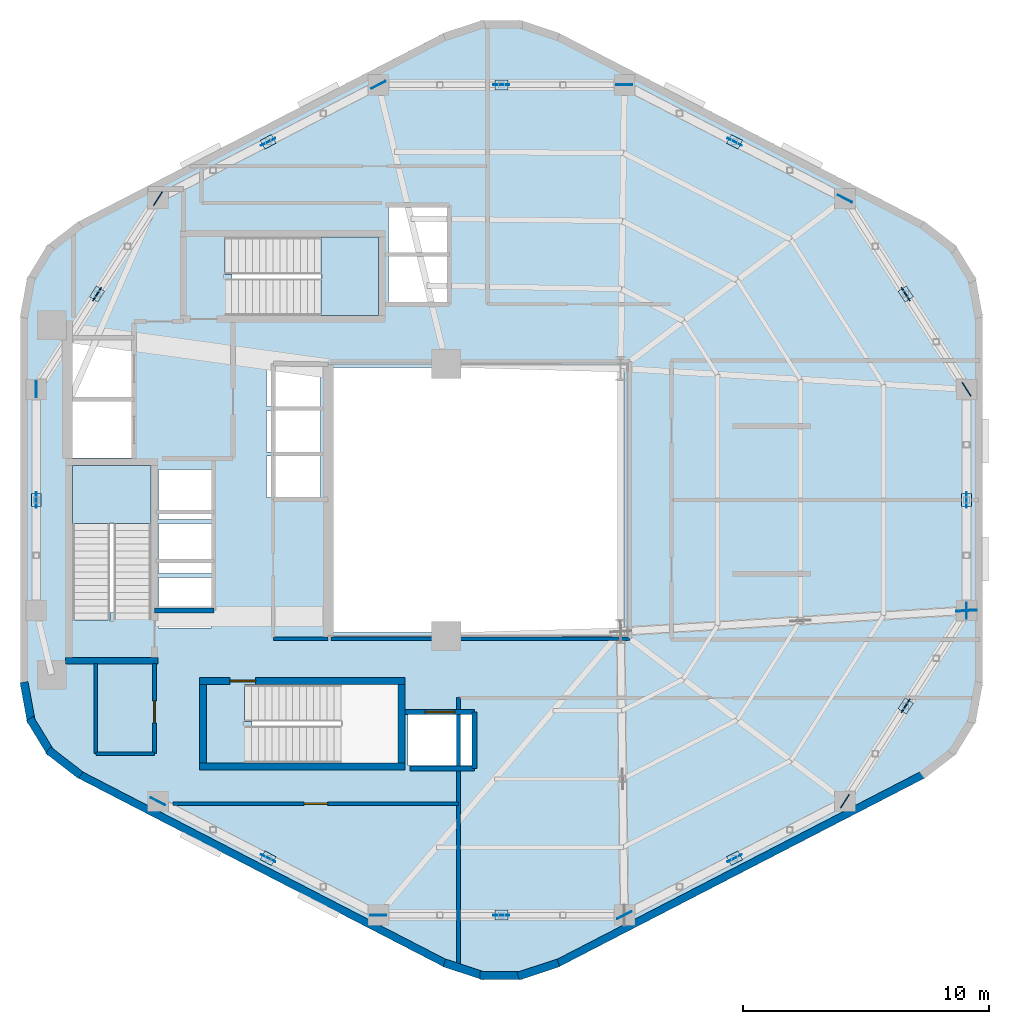
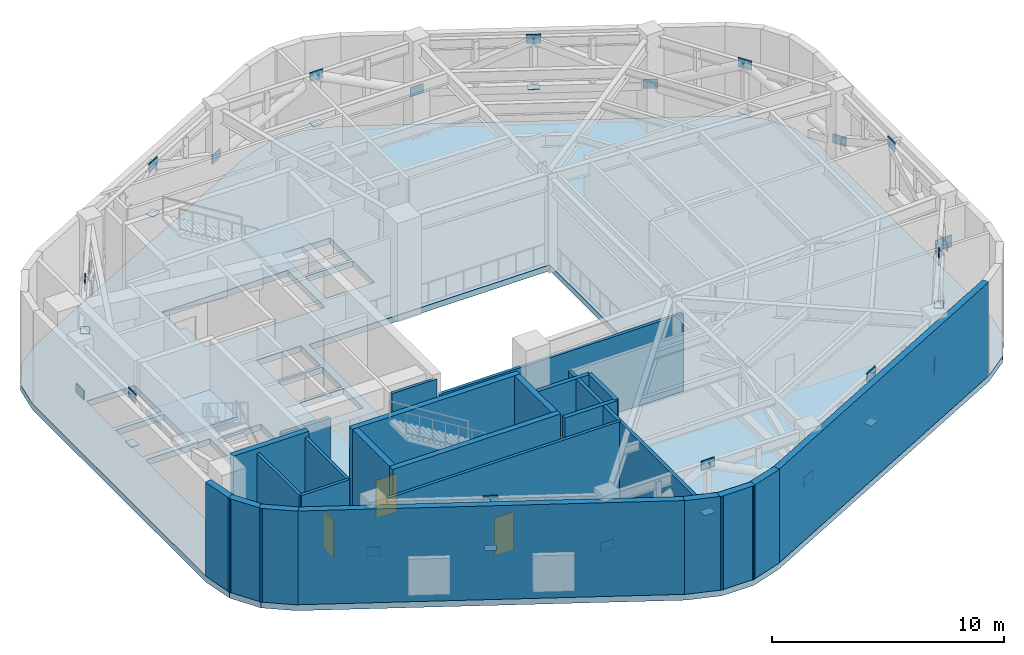
# One storey, part 6 of 10: 34 plates, 24 walls, 4 doors, 3 slabs, 4 openings, 2 elements without a shape of their own.
"""IFC4 building model written with IfcOpenShell, lengths in metres."""

from ifc_helpers import new_model, si_unit, direction, frame, frame_2d, origin, origin_2d, place, context, subcontext, project, spatial, polyline, rectangle, outline, extrude, material, layer, layer_set, type_object, element, fill, aggregate, save


model = new_model("IFC4")

# Units and contexts
model_context = context("Model", 3, precision=1e-05, world=origin(), true_north=direction((0.0, 1.0)))
body_context = subcontext(model_context, "Body", "Model", "MODEL_VIEW")
ifc_project = project(units=[si_unit("LENGTHUNIT", "METRE"), si_unit("AREAUNIT", "SQUARE_METRE"), si_unit("VOLUMEUNIT", "CUBIC_METRE"), si_unit("PLANEANGLEUNIT", "RADIAN"), si_unit("MASSUNIT", "GRAM", prefix="KILO"), si_unit("THERMODYNAMICTEMPERATUREUNIT", "KELVIN"), si_unit("POWERUNIT", "WATT")], contexts=[model_context])

# Site, building, storey
site_placement = place(None, origin())
site = spatial("IfcSite", under=ifc_project, at=site_placement, CompositionType="ELEMENT")
building_placement = place(site_placement, origin())
building = spatial("IfcBuilding", under=site, at=building_placement, Name="Skarre Station Tower", CompositionType="ELEMENT")
storey_placement = place(building_placement, frame((0.0, 0.0, 191.25)))
storey = spatial("IfcBuildingStorey", under=building, at=storey_placement, Name="L52", CompositionType="ELEMENT", Elevation=191.25)

# Plates
ifc_material_1 = material(Name="Steel ASTM A572 Grade 50", Category="steel")
ifc_layer_1 = layer(ifc_material_1, 0.028076171875, Name="Steel ASTM A572 Grade 50")
ifc_layer_set_1 = layer_set([ifc_layer_1], Name="Steel ASTM A572 Grade 50")
plate_type_1 = type_object("IfcPlateType", Name="Belt Truss End Cap Plate 520x400x28", PredefinedType="USERDEFINED", material=ifc_layer_set_1)
for number, where, z_axis, x_axis, name in (
    (1, (44.087890625, 38.572021484375, 2.23583984375), (0.0, 0.0, 1.0), (-0.888609227575, 0.458665063711, 0.0), "L52 Belt Truss Chord Cap Plate 1"),
    (2, (34.60009765625, 40.887939453125, 2.23583984375), (0.0, 0.0, 1.0), (-1.0, 0.0, 0.0), "L52 Belt Truss Chord Cap Plate 2"),
    (3, (25.112060546875, 38.572021484375, 2.23583984375), (0.0, 0.0, 1.0), (-0.888609227575, -0.458665063711, 0.0), "L52 Belt Truss Chord Cap Plate 3"),
    (4, (18.152099609375, 32.37890625, 2.23583984375), (0.0, 0.0, 1.0), (-0.537829420727, -0.843053684056, 0.0), "L52 Belt Truss Chord Cap Plate 4"),
    (5, (15.677978515625, 24.0, 2.23583984375), (0.0, 0.0, 1.0), (0.0, -1.0, 0.0), "L52 Belt Truss Chord Cap Plate 5"),
    (6, (25.112060546875, 9.427978515625, 2.23583984375), (0.0, 0.0, 1.0), (0.888609227575, -0.458665063711, 0.0), "L52 Belt Truss Chord Cap Plate 7"),
    (7, (34.60009765625, 7.112060546875, 2.23583984375), (0.0, 0.0, 1.0), (1.0, 0.0, 0.0), "L52 Belt Truss Chord Cap Plate 8"),
    (8, (44.087890625, 9.427978515625, 2.23583984375), (0.0, 0.0, 1.0), (0.888609227575, 0.458665063711, 0.0), "L52 Belt Truss Chord Cap Plate 9"),
    (9, (51.048095703125, 15.62109375, 2.23583984375), (0.0, 0.0, 1.0), (0.537829420727, 0.843053684056, 0.0), "L52 Belt Truss Chord Cap Plate 10"),
    (10, (53.52197265625, 24.0, 2.23583984375), (0.0, 0.0, 1.0), (0.0, 1.0, 0.0), "L52 Belt Truss Chord Cap Plate 11"),
    (11, (51.048095703125, 32.37890625, 2.23583984375), (0.0, 0.0, 1.0), (-0.537829420727, 0.843053684056, 0.0), "L52 Belt Truss Chord Cap Plate 12"),
):
    element("IfcPlate", number, at=place(storey_placement, frame(where, z_axis=z_axis, x_axis=x_axis)), inside=storey, type_object=plate_type_1, Name=name, ObjectType="STIFFENER_PLATE", PredefinedType="USERDEFINED", context=body_context, shape_type="SweptSolid", body=[
        extrude(rectangle(XDim=0.52001953125, YDim=0.39990234375, at=origin_2d()), origin(), (0.0, 0.0, 1.0), 0.028076171875),
    ])
ifc_layer_2 = layer(ifc_material_1, 0.0400390625, Name="Steel ASTM A572 Grade 50")
ifc_layer_set_2 = layer_set([ifc_layer_2], Name="Steel ASTM A572 Grade 50")
plate_type_2 = type_object("IfcPlateType", Name="Outrigger Heavy Gusset Plate 850x640x40", PredefinedType="USERDEFINED", material=ifc_layer_set_2)
plate_placement = place(storey_placement, frame((53.52197265625, 19.4990234375, 1.93017578125), z_axis=(0.0, 0.0, 1.0), x_axis=(0.998184541001, 0.060229744372, 0.0)))
element("IfcPlate", 12, at=plate_placement, inside=storey, type_object=plate_type_2, Name="L52 Outrigger Perimeter Base Gusset Plate 3", ObjectType="GUSSET_PLATE", PredefinedType="USERDEFINED", context=body_context, shape_type="SweptSolid", body=[
    extrude(rectangle(XDim=0.85009765625, YDim=0.0400390625, at=origin_2d()), origin(), (0.0, 0.0, 1.0), 0.639892578125),
])

# Slab
ifc_material_2 = material(Name="Concrete C50/60", Category="concrete")
ifc_layer_3 = layer(ifc_material_2, 0.31005859375, Name="Concrete C50/60")
ifc_layer_set_3 = layer_set([ifc_layer_3], Name="Concrete C50/60")
slab_type_1 = type_object("IfcSlabType", Name="Podium & Plant Structural Slab 310", PredefinedType="FLOOR", material=ifc_layer_set_3)
slab_1_placement = place(storey_placement, frame((0.0, 0.0, -0.31005859375)))
element("IfcSlab", 13, at=slab_1_placement, inside=storey, type_object=slab_type_1, Name="L52 Zone 3 Structural Floor Slab", PredefinedType="FLOOR", context=body_context, shape_type="SweptSolid", body=[
    extrude(outline(polyline([(54.172119140625, 31.501953125), (53.89208984375, 33.02294921875), (53.0869140625, 34.344970703125), (51.863037109375, 35.291015625), (36.908935546875, 43.009033203125), (35.39599609375, 43.506103515625), (33.803955078125, 43.506103515625), (32.291015625, 43.009033203125), (17.3369140625, 35.291015625), (16.113037109375, 34.344970703125), (15.30810546875, 33.02294921875), (15.028076171875, 31.501953125), (15.028076171875, 16.498046875), (15.30810546875, 14.97705078125), (16.113037109375, 13.655029296875), (17.3369140625, 12.708984375), (32.291015625, 4.990966796875), (33.803955078125, 4.493896484375), (35.39599609375, 4.493896484375), (36.908935546875, 4.990966796875), (51.863037109375, 12.708984375), (53.0869140625, 13.655029296875), (53.89208984375, 14.97705078125), (54.172119140625, 16.498046875), (54.172119140625, 31.501953125)]), holes=[polyline([(18.669921875, 19.419921875), (18.669921875, 19.123046875), (17.14990234375, 19.123046875), (17.14990234375, 25.39990234375), (20.35009765625, 25.39990234375), (20.35009765625, 19.419921875), (18.669921875, 19.419921875)]), polyline([(24.449951171875, 14.97998046875), (24.153076171875, 14.97998046875), (24.153076171875, 16.5), (30.39990234375, 16.5), (30.39990234375, 13.300048828125), (24.449951171875, 13.300048828125), (24.449951171875, 14.97998046875)]), polyline([(23.64990234375, 33.179931640625), (23.35302734375, 33.179931640625), (23.35302734375, 34.699951171875), (29.60009765625, 34.699951171875), (29.60009765625, 31.5), (23.64990234375, 31.5), (23.64990234375, 33.179931640625)]), polyline([(17.14990234375, 28.0), (19.550048828125, 28.0), (19.550048828125, 25.699951171875), (17.14990234375, 25.699951171875), (17.14990234375, 28.0)]), polyline([(17.14990234375, 30.5), (19.550048828125, 30.5), (19.550048828125, 28.199951171875), (17.14990234375, 28.199951171875), (17.14990234375, 30.5)]), polyline([(30.800048828125, 15.300048828125), (33.39990234375, 15.300048828125), (33.39990234375, 13.199951171875), (30.800048828125, 13.199951171875), (30.800048828125, 15.300048828125)]), polyline([(25.050048828125, 25.800048828125), (27.25, 25.800048828125), (27.25, 24.10009765625), (25.050048828125, 24.10009765625), (25.050048828125, 25.800048828125)]), polyline([(25.050048828125, 27.64990234375), (27.25, 27.64990234375), (27.25, 25.949951171875), (25.050048828125, 25.949951171875), (25.050048828125, 27.64990234375)]), polyline([(25.050048828125, 29.5), (27.25, 29.5), (27.25, 27.800048828125), (25.050048828125, 27.800048828125), (25.050048828125, 29.5)]), polyline([(20.64990234375, 20.85009765625), (22.800048828125, 20.85009765625), (22.800048828125, 18.800048828125), (20.64990234375, 18.800048828125), (20.64990234375, 20.85009765625)]), polyline([(20.64990234375, 23.050048828125), (22.800048828125, 23.050048828125), (22.800048828125, 21.0), (20.64990234375, 21.0), (20.64990234375, 23.050048828125)]), polyline([(20.64990234375, 25.25), (22.800048828125, 25.25), (22.800048828125, 23.199951171875), (20.64990234375, 23.199951171875), (20.64990234375, 25.25)]), polyline([(30.0, 33.89990234375), (32.39990234375, 33.89990234375), (32.39990234375, 32.050048828125), (30.0, 32.050048828125), (30.0, 33.89990234375)]), polyline([(30.0, 35.89990234375), (32.39990234375, 35.89990234375), (32.39990234375, 34.050048828125), (30.0, 34.050048828125), (30.0, 35.89990234375)]), polyline([(27.60009765625, 29.39990234375), (39.60009765625, 29.39990234375), (39.60009765625, 18.60009765625), (27.60009765625, 18.60009765625), (27.60009765625, 29.39990234375)])]), origin(), (0.0, 0.0, 1.0), 0.31005859375),
])

# Stair, slab
ifc_material_3 = material(Name="Concrete C40/50", Category="concrete")
stair_type_1 = type_object("IfcStairType", Name="Reinforced Concrete Exit Stair ST-1", PredefinedType="HALF_TURN_STAIR", material=ifc_material_3)
stair_1_placement = place(storey_placement, origin())
stair_1 = element("IfcStair", 14, at=stair_1_placement, inside=storey, type_object=stair_type_1, Name="L52 Core Exit Stair ST-1", PredefinedType="HALF_TURN_STAIR")
ifc_layer_4 = layer(ifc_material_3, 0.219970703125, Name="Concrete C40/50")
ifc_layer_set_4 = layer_set([ifc_layer_4], Name="Concrete C40/50")
slab_type_2 = type_object("IfcSlabType", Name="Reinforced Concrete Stair & Ramp Landing 220", PredefinedType="LANDING", material=ifc_layer_set_4)
slab_2_placement = place(storey_placement, frame((0.0, 0.0, 2.39990234375)))
slab_2 = element("IfcSlab", 15, at=slab_2_placement, type_object=slab_type_2, Name="ST-1 landing 1", PredefinedType="LANDING", context=body_context, shape_type="SweptSolid", body=[
    extrude(outline(polyline([(20.35009765625, 23.0400390625), (20.35009765625, 25.39990234375), (17.14990234375, 25.39990234375), (17.14990234375, 23.0400390625), (20.35009765625, 23.0400390625)])), origin(), (0.0, 0.0, 1.0), 0.2001953125),
])
aggregate(stair_1, [slab_2])

stair_type_2 = type_object("IfcStairType", Name="Reinforced Concrete Exit Stair ST-3", PredefinedType="HALF_TURN_STAIR", material=ifc_material_3)
stair_2_placement = place(storey_placement, origin())
stair_2 = element("IfcStair", 16, at=stair_2_placement, inside=storey, type_object=stair_type_2, Name="L52 Core Exit Stair ST-3", PredefinedType="HALF_TURN_STAIR")
slab_3_placement = place(storey_placement, frame((0.0, 0.0, 2.39990234375)))
slab_3 = element("IfcSlab", 17, at=slab_3_placement, type_object=slab_type_2, Name="ST-3 landing 1", PredefinedType="LANDING", context=body_context, shape_type="SweptSolid", body=[
    extrude(outline(polyline([(27.27001953125, 31.5), (29.60009765625, 31.5), (29.60009765625, 34.699951171875), (27.27001953125, 34.699951171875), (27.27001953125, 31.5)])), origin(), (0.0, 0.0, 1.0), 0.2001953125),
])
aggregate(stair_2, [slab_3])

# Plates
ifc_layer_5 = layer(ifc_material_1, 0.035888671875, Name="Steel ASTM A572 Grade 50")
ifc_layer_set_5 = layer_set([ifc_layer_5], Name="Steel ASTM A572 Grade 50")
plate_type_3 = type_object("IfcPlateType", Name="Truss Node Gusset Plate 650x480x36", PredefinedType="USERDEFINED", material=ifc_layer_set_5)
for number, where, z_axis, x_axis, name in (
    (18, (44.087890625, 38.572021484375, 4.550048828125), (0.0, 0.0, 1.0), (-0.888609227575, 0.458665063711, 0.0), "L52 Belt Truss Apex Gusset Plate 1"),
    (19, (48.573974609375, 36.257080078125, 2.010009765625), (0.0, 0.0, 1.0), (-0.888609227575, 0.458665063711, 0.0), "L52 Belt Truss Node A Gusset Plate 1"),
    (20, (34.60009765625, 40.887939453125, 4.550048828125), (0.0, 0.0, 1.0), (-1.0, 0.0, 0.0), "L52 Belt Truss Apex Gusset Plate 2"),
    (21, (39.60205078125, 40.887939453125, 2.010009765625), (0.0, 0.0, 1.0), (-1.0, 0.0, 0.0), "L52 Belt Truss Node A Gusset Plate 2"),
    (22, (25.112060546875, 38.572021484375, 4.550048828125), (0.0, 0.0, 1.0), (-0.888609227575, -0.458665063711, 0.0), "L52 Belt Truss Apex Gusset Plate 3"),
    (23, (29.597900390625, 40.887939453125, 2.010009765625), (0.0, 0.0, 1.0), (-0.888609227575, -0.458665063711, 0.0), "L52 Belt Truss Node A Gusset Plate 3"),
    (24, (18.152099609375, 32.37890625, 4.550048828125), (0.0, 0.0, 1.0), (-0.537829420727, -0.843053684056, 0.0), "L52 Belt Truss Apex Gusset Plate 4"),
    (25, (20.6259765625, 36.257080078125, 2.010009765625), (0.0, 0.0, 1.0), (-0.537829420727, -0.843053684056, 0.0), "L52 Belt Truss Node A Gusset Plate 4"),
    (26, (15.677978515625, 24.0, 4.550048828125), (0.0, 0.0, 1.0), (0.0, -1.0, 0.0), "L52 Belt Truss Apex Gusset Plate 5"),
    (27, (15.677978515625, 28.5009765625, 2.010009765625), (0.0, 0.0, 1.0), (0.0, -1.0, 0.0), "L52 Belt Truss Node A Gusset Plate 5"),
    (28, (25.112060546875, 9.427978515625, 4.550048828125), (0.0, 0.0, 1.0), (0.888609227575, -0.458665063711, 0.0), "L52 Belt Truss Apex Gusset Plate 7"),
    (29, (20.6259765625, 11.742919921875, 2.010009765625), (0.0, 0.0, 1.0), (0.888609227575, -0.458665063711, 0.0), "L52 Belt Truss Node A Gusset Plate 7"),
    (30, (34.60009765625, 7.112060546875, 4.550048828125), (0.0, 0.0, 1.0), (1.0, 0.0, 0.0), "L52 Belt Truss Apex Gusset Plate 8"),
    (31, (29.597900390625, 7.112060546875, 2.010009765625), (0.0, 0.0, 1.0), (1.0, 0.0, 0.0), "L52 Belt Truss Node A Gusset Plate 8"),
    (32, (44.087890625, 9.427978515625, 4.550048828125), (0.0, 0.0, 1.0), (0.888609227575, 0.458665063711, 0.0), "L52 Belt Truss Apex Gusset Plate 9"),
    (33, (39.60205078125, 7.112060546875, 2.010009765625), (0.0, 0.0, 1.0), (0.888609227575, 0.458665063711, 0.0), "L52 Belt Truss Node A Gusset Plate 9"),
    (34, (51.048095703125, 15.62109375, 4.550048828125), (0.0, 0.0, 1.0), (0.537829420727, 0.843053684056, 0.0), "L52 Belt Truss Apex Gusset Plate 10"),
    (35, (48.573974609375, 11.742919921875, 2.010009765625), (0.0, 0.0, 1.0), (0.537829420727, 0.843053684056, 0.0), "L52 Belt Truss Node A Gusset Plate 10"),
    (36, (53.52197265625, 24.0, 4.550048828125), (0.0, 0.0, 1.0), (0.0, 1.0, 0.0), "L52 Belt Truss Apex Gusset Plate 11"),
    (37, (53.52197265625, 19.4990234375, 2.010009765625), (0.0, 0.0, 1.0), (0.0, 1.0, 0.0), "L52 Belt Truss Node A Gusset Plate 11"),
    (38, (51.048095703125, 32.37890625, 4.550048828125), (0.0, 0.0, 1.0), (-0.537829420727, 0.843053684056, 0.0), "L52 Belt Truss Apex Gusset Plate 12"),
    (39, (53.52197265625, 28.5009765625, 2.010009765625), (0.0, 0.0, 1.0), (-0.537829420727, 0.843053684056, 0.0), "L52 Belt Truss Node A Gusset Plate 12"),
):
    element("IfcPlate", number, at=place(storey_placement, frame(where, z_axis=z_axis, x_axis=x_axis)), inside=storey, type_object=plate_type_3, Name=name, ObjectType="GUSSET_PLATE", PredefinedType="USERDEFINED", context=body_context, shape_type="SweptSolid", body=[
        extrude(rectangle(XDim=0.64990234375, YDim=0.035888671875, at=origin_2d()), origin(), (0.0, 0.0, 1.0), 0.47998046875),
    ])

# Walls
ifc_material_4 = material(Name="Acoustic Steel-Stud Gypsum Partition", Category="steel")
ifc_layer_6 = layer(ifc_material_4, 0.14990234375, Name="Acoustic Steel-Stud Gypsum Partition")
ifc_layer_set_6 = layer_set([ifc_layer_6], Name="Acoustic Steel-Stud Gypsum Partition")
wall_type_1 = type_object("IfcWallType", Name="Fire-Rated Corridor Acoustic Partition 150", PredefinedType="PARTITIONING", material=ifc_layer_set_6)
wall_1_placement = place(storey_placement, frame((25.320068359375, 18.360107421875, 0.0), z_axis=(0.0, 0.0, 1.0), x_axis=(1.0, 0.0, 0.0)))
element("IfcWall", 40, at=wall_1_placement, inside=storey, type_object=wall_type_1, Name="L52 Interior Partition WL-PT-L52-RC1-S", PredefinedType="PARTITIONING", context=body_context, shape_type="SweptSolid", body=[
    extrude(rectangle(XDim=2.22998046875, YDim=0.14990234375, at=frame_2d((1.114990234375, 0.0))), origin(), (0.0, 0.0, 1.0), 4.93994140625),
])
wall_2_placement = place(storey_placement, frame((18.10009765625, 17.340087890625, 0.0), z_axis=(0.0, 0.0, 1.0), x_axis=(0.0, -1.0, 0.0)))
element("IfcWall", 41, at=wall_2_placement, inside=storey, type_object=wall_type_1, Name="L52 Interior Partition WL-PT-L52-CSVC-W", PredefinedType="PARTITIONING", context=body_context, shape_type="SweptSolid", body=[
    extrude(rectangle(XDim=3.66015625, YDim=0.14990234375, at=frame_2d((1.830078125, 0.0))), origin(), (0.0, 0.0, 1.0), 4.93994140625),
])
wall_3_placement = place(storey_placement, frame((18.10009765625, 13.679931640625, 0.0), z_axis=(0.0, 0.0, 1.0), x_axis=(1.0, 0.0, 0.0)))
element("IfcWall", 42, at=wall_3_placement, inside=storey, type_object=wall_type_1, Name="L52 Interior Partition WL-PT-L52-CSVC-S", PredefinedType="PARTITIONING", context=body_context, shape_type="SweptSolid", body=[
    extrude(rectangle(XDim=2.389892578125, YDim=0.14990234375, at=frame_2d((1.19482421875, 0.0))), origin(), (0.0, 0.0, 1.0), 4.93994140625),
])

# Wall, opening, door
wall_4_placement = place(storey_placement, frame((20.489990234375, 13.679931640625, 0.0), z_axis=(0.0, 0.0, 1.0), x_axis=(0.0, 1.0, 0.0)))
wall_4 = element("IfcWall", 43, at=wall_4_placement, inside=storey, type_object=wall_type_1, Name="L52 Interior Partition WL-PT-L52-CSVC-E", PredefinedType="PARTITIONING", context=body_context, shape_type="SweptSolid", body=[
    extrude(rectangle(XDim=3.66015625, YDim=0.14990234375, at=frame_2d((1.830078125, 0.0))), origin(), (0.0, 0.0, 1.0), 4.93994140625),
])
opening_1_placement = place(wall_4_placement, frame((1.25, 0.0, 0.0)))
opening_1 = element("IfcOpeningElement", 44, at=opening_1_placement, cuts=wall_4, Name="Opening DR-SVC90", PredefinedType="OPENING", context=body_context, shape_type="SweptSolid", body=[
    extrude(rectangle(XDim=0.89990234375, YDim=2.0, at=frame_2d((0.449951171875, 1.0))), frame((0.0, 0.0849609375, 0.0), z_axis=(0.0, -1.0, 0.0), x_axis=(1.0, 0.0, 0.0)), (0.0, 0.0, 1.0), 0.169921875),
])
ifc_material_5 = material(Name="Powder-Coated Hollow-Metal Acoustic Fire Leaf", Category="steel")
door_type_1 = type_object("IfcDoorType", Name="Service & Riser Fire Door FD60 900x2100", OperationType="SINGLE_SWING_LEFT", PredefinedType="DOOR", material=ifc_material_5)
door_1_placement = place(opening_1_placement, origin())
door_1 = element("IfcDoor", 45, at=door_1_placement, inside=storey, type_object=door_type_1, Name="L52 Core Pantry Door", OperationType="SINGLE_SWING_LEFT", OverallHeight=2.0, OverallWidth=0.89990234375, PredefinedType="DOOR", context=body_context, shape_type="SweptSolid", body=[
    extrude(rectangle(XDim=0.89990234375, YDim=2.0, at=frame_2d((0.449951171875, 1.0))), frame((0.0, 0.02490234375, 0.0), z_axis=(0.0, -1.0, 0.0), x_axis=(1.0, 0.0, 0.0)), (0.0, 0.0, 1.0), 0.050048828125),
])
fill(opening_1, door_1)

# Wall
wall_5_placement = place(storey_placement, frame((27.675048828125, 18.360107421875, 0.0), z_axis=(0.0, 0.0, 1.0), x_axis=(1.0, 0.0, 0.0)))
element("IfcWall", 46, at=wall_5_placement, inside=storey, type_object=wall_type_1, Name="L52 Interior Partition WL-PT-L52-ATRW-S", PredefinedType="PARTITIONING", context=body_context, shape_type="SweptSolid", body=[
    extrude(rectangle(XDim=12.1650390625, YDim=0.14990234375, at=frame_2d((6.08251953125, 0.0))), origin(), (0.0, 0.0, 1.0), 4.0810546875),
])

# Wall, opening, door
wall_6_placement = place(storey_placement, frame((32.85009765625, 11.639892578125, 0.0), z_axis=(0.0, 0.0, 1.0), x_axis=(-1.0, 0.0, 0.0)))
wall_6 = element("IfcWall", 47, at=wall_6_placement, inside=storey, type_object=wall_type_1, Name="L52 Interior Partition WL-PT-L52-PLTSW1-CW", PredefinedType="PARTITIONING", context=body_context, shape_type="SweptSolid", body=[
    extrude(rectangle(XDim=11.60009765625, YDim=0.14990234375, at=frame_2d((5.800048828125, 0.0))), origin(), (0.0, 0.0, 1.0), 4.93994140625),
])
opening_2_placement = place(wall_6_placement, frame((5.320068359375, 0.0, 0.0)))
opening_2 = element("IfcOpeningElement", 48, at=opening_2_placement, cuts=wall_6, Name="Opening DR-FD60", PredefinedType="OPENING", context=body_context, shape_type="SweptSolid", body=[
    extrude(rectangle(XDim=0.9599609375, YDim=2.0, at=frame_2d((0.47998046875, 1.0))), frame((0.0, 0.0849609375, 0.0), z_axis=(0.0, -1.0, 0.0), x_axis=(1.0, 0.0, 0.0)), (0.0, 0.0, 1.0), 0.169921875),
])
ifc_material_6 = material(Name="Nordic White-Oak Veneer Solid-Core Fire Leaf", Category="wood")
door_type_2 = type_object("IfcDoorType", Name="Corridor Suite Entry Fire Door FD60 960x2150", OperationType="SINGLE_SWING_LEFT", PredefinedType="DOOR", material=ifc_material_6)
door_2_placement = place(opening_2_placement, origin())
door_2 = element("IfcDoor", 49, at=door_2_placement, inside=storey, type_object=door_type_2, Name="L52 PLTSW1 Entry Door", OperationType="SINGLE_SWING_LEFT", OverallHeight=2.0, OverallWidth=0.9599609375, PredefinedType="DOOR", context=body_context, shape_type="SweptSolid", body=[
    extrude(rectangle(XDim=0.9599609375, YDim=2.0, at=frame_2d((0.47998046875, 1.0))), frame((0.0, 0.02490234375, 0.0), z_axis=(0.0, -1.0, 0.0), x_axis=(1.0, 0.0, 0.0)), (0.0, 0.0, 1.0), 0.050048828125),
])
fill(opening_2, door_2)

# Walls
ifc_material_7 = material(Name="Precast concrete C45/55", Category="concrete")
ifc_layer_7 = layer(ifc_material_7, 0.330078125, Name="Precast concrete C45/55")
ifc_layer_set_7 = layer_set([ifc_layer_7], Name="Precast concrete C45/55")
wall_type_2 = type_object("IfcWallType", Name="Nordic Rounded Corner Precast Wall 330", PredefinedType="STANDARD", material=ifc_layer_set_7)
wall_7_placement = place(storey_placement, frame((17.489013671875, 12.800048828125, 0.0), z_axis=(0.0, 0.0, 1.0), x_axis=(-0.791409877269, 0.611285862884, 0.0)))
element("IfcWall", 50, at=wall_7_placement, inside=storey, type_object=wall_type_2, Name="L52 Rounded Corner Precast Wall F3-1", PredefinedType="STANDARD", context=body_context, shape_type="SweptSolid", body=[
    extrude(rectangle(XDim=1.676513671875, YDim=0.330078125, at=frame_2d((0.83837890625, 0.0))), origin(), (0.0, 0.0, 1.0), 4.93994140625),
])
wall_8_placement = place(storey_placement, frame((16.2880859375, 13.68505859375, 0.0), z_axis=(0.0, 0.0, 1.0), x_axis=(-0.520325409202, 0.853968072318, 0.0)))
element("IfcWall", 51, at=wall_8_placement, inside=storey, type_object=wall_type_2, Name="L52 Rounded Corner Precast Wall F3-2", PredefinedType="STANDARD", context=body_context, shape_type="SweptSolid", body=[
    extrude(rectangle(XDim=1.677978515625, YDim=0.330078125, at=frame_2d((0.8388671875, 0.0))), origin(), (0.0, 0.0, 1.0), 4.93994140625),
])
wall_9_placement = place(storey_placement, frame((15.48193359375, 14.943115234375, 0.0), z_axis=(0.0, 0.0, 1.0), x_axis=(-0.180717642671, 0.983535019014, 0.0)))
element("IfcWall", 52, at=wall_9_placement, inside=storey, type_object=wall_type_2, Name="L52 Rounded Corner Precast Wall F3-3", PredefinedType="STANDARD", context=body_context, shape_type="SweptSolid", body=[
    extrude(rectangle(XDim=1.676513671875, YDim=0.330078125, at=frame_2d((0.83837890625, 0.0))), origin(), (0.0, 0.0, 1.0), 4.93994140625),
])
wall_10_placement = place(storey_placement, frame((36.9189453125, 5.16796875, 0.0), z_axis=(0.0, 0.0, 1.0), x_axis=(-0.949937416267, -0.312440242569, 0.0)))
element("IfcWall", 53, at=wall_10_placement, inside=storey, type_object=wall_type_2, Name="L52 Rounded Corner Precast Wall F4-1", PredefinedType="STANDARD", context=body_context, shape_type="SweptSolid", body=[
    extrude(rectangle(XDim=1.72216796875, YDim=0.330078125, at=frame_2d((0.861083984375, 0.0))), origin(), (0.0, 0.0, 1.0), 4.93994140625),
])
wall_11_placement = place(storey_placement, frame((35.4609375, 4.658935546875, 0.0), z_axis=(0.0, 0.0, 1.0), x_axis=(-1.0, 0.0, 0.0)))
element("IfcWall", 54, at=wall_11_placement, inside=storey, type_object=wall_type_2, Name="L52 Rounded Corner Precast Wall F4-2", PredefinedType="STANDARD", context=body_context, shape_type="SweptSolid", body=[
    extrude(rectangle(XDim=1.721923828125, YDim=0.330078125, at=frame_2d((0.86083984375, 0.0))), origin(), (0.0, 0.0, 1.0), 4.93994140625),
])
wall_12_placement = place(storey_placement, frame((33.9169921875, 4.6298828125, 0.0), z_axis=(0.0, 0.0, 1.0), x_axis=(-0.949937416267, 0.312440242569, 0.0)))
element("IfcWall", 55, at=wall_12_placement, inside=storey, type_object=wall_type_2, Name="L52 Rounded Corner Precast Wall F4-3", PredefinedType="STANDARD", context=body_context, shape_type="SweptSolid", body=[
    extrude(rectangle(XDim=1.72216796875, YDim=0.330078125, at=frame_2d((0.861083984375, 0.0))), origin(), (0.0, 0.0, 1.0), 4.93994140625),
])
ifc_layer_8 = layer(ifc_material_7, 0.31005859375, Name="Precast concrete C45/55")
ifc_layer_set_8 = layer_set([ifc_layer_8], Name="Precast concrete C45/55")
wall_type_3 = type_object("IfcWallType", Name="Nordic Upper-Zone Precast Facet Wall 310", PredefinedType="STANDARD", material=ifc_layer_set_8)
for number, where, z_axis, x_axis, name in (
    (56, (32.362060546875, 5.12890625, 0.0), (0.0, 0.0, 1.0), (-0.888626188278, 0.458632202867, 0.0), "L52 Facet 3 Nordic Precast Masonry Wall"),
    (57, (51.7919921875, 12.846923828125, 0.0), (0.0, 0.0, 1.0), (-0.888626188278, -0.458632202867, 0.0), "L52 Facet 4 Nordic Precast Masonry Wall"),
):
    element("IfcWall", number, at=place(storey_placement, frame(where, z_axis=z_axis, x_axis=x_axis)), inside=storey, type_object=wall_type_3, Name=name, PredefinedType="STANDARD", context=body_context, shape_type="SweptSolid", body=[
        extrude(rectangle(XDim=16.828369140625, YDim=0.31005859375, at=frame_2d((8.4140625, 0.0))), origin(), (0.0, 0.0, 1.0), 4.93994140625),
    ])
ifc_layer_9 = layer(ifc_material_2, 0.280029296875, Name="Concrete C50/60")
ifc_layer_set_9 = layer_set([ifc_layer_9], Name="Concrete C50/60")
wall_type_4 = type_object("IfcWallType", Name="RC Core Shear Wall 280", PredefinedType="SHEAR", material=ifc_layer_set_9)
wall_13_placement = place(storey_placement, frame((16.8701171875, 17.4599609375, 0.0), z_axis=(0.0, 0.0, 1.0), x_axis=(1.0, 0.0, 0.0)))
element("IfcWall", 58, at=wall_13_placement, inside=storey, type_object=wall_type_4, Name="L52 Stair ST-1 South Shear Wall", PredefinedType="SHEAR", context=body_context, shape_type="SweptSolid", body=[
    extrude(rectangle(XDim=3.759765625, YDim=0.280029296875, at=frame_2d((1.8798828125, 0.0))), origin(), (0.0, 0.0, 1.0), 5.199951171875),
])
wall_14_placement = place(storey_placement, frame((22.320068359375, 13.159912109375, 0.0), z_axis=(0.0, 0.0, 1.0), x_axis=(1.0, 0.0, 0.0)))
element("IfcWall", 59, at=wall_14_placement, inside=storey, type_object=wall_type_4, Name="L52 Stair ST-2 South Shear Wall", PredefinedType="SHEAR", context=body_context, shape_type="SweptSolid", body=[
    extrude(rectangle(XDim=8.35986328125, YDim=0.280029296875, at=frame_2d((4.179931640625, 0.0))), origin(), (0.0, 0.0, 1.0), 5.199951171875),
])

# Wall, opening, door
wall_15_placement = place(storey_placement, frame((30.679931640625, 16.639892578125, 0.0), z_axis=(0.0, 0.0, 1.0), x_axis=(-1.0, 0.0, 0.0)))
wall_15 = element("IfcWall", 60, at=wall_15_placement, inside=storey, type_object=wall_type_4, Name="L52 Stair ST-2 North Shear Wall", PredefinedType="SHEAR", context=body_context, shape_type="SweptSolid", body=[
    extrude(rectangle(XDim=8.35986328125, YDim=0.280029296875, at=frame_2d((4.179931640625, 0.0))), origin(), (0.0, 0.0, 1.0), 5.199951171875),
])
opening_3_placement = place(wall_15_placement, frame((6.080078125, 0.0, 0.0)))
opening_3 = element("IfcOpeningElement", 61, at=opening_3_placement, cuts=wall_15, Name="Opening DR-FD90", PredefinedType="OPENING", context=body_context, shape_type="SweptSolid", body=[
    extrude(rectangle(XDim=1.050048828125, YDim=2.0, at=frame_2d((0.52490234375, 1.0))), frame((0.0, 0.14990234375, 0.0), z_axis=(0.0, -1.0, 0.0), x_axis=(1.0, 0.0, 0.0)), (0.0, 0.0, 1.0), 0.300048828125),
])
ifc_material_8 = material(Name="Fire-Rated Insulated Steel Frame & Timber Core Leaf", Category="steel")
door_type_3 = type_object("IfcDoorType", Name="Stair & FSAE Lobby Fire Door FD90 1050x2150", OperationType="SINGLE_SWING_RIGHT", PredefinedType="DOOR", material=ifc_material_8)
door_3_placement = place(opening_3_placement, origin())
door_3 = element("IfcDoor", 62, at=door_3_placement, inside=storey, type_object=door_type_3, Name="L52 Stair ST-2 Exit Door", OperationType="SINGLE_SWING_RIGHT", OverallHeight=2.0, OverallWidth=1.050048828125, PredefinedType="DOOR", context=body_context, shape_type="SweptSolid", body=[
    extrude(rectangle(XDim=1.050048828125, YDim=2.0, at=frame_2d((0.52490234375, 1.0))), frame((0.0, 0.02490234375, 0.0), z_axis=(0.0, -1.0, 0.0), x_axis=(1.0, 0.0, 0.0)), (0.0, 0.0, 1.0), 0.050048828125),
])
fill(opening_3, door_3)

# Walls
for number, where, z_axis, x_axis, name in (
    (63, (22.4599609375, 16.5, 0.0), (0.0, 0.0, 1.0), (0.0, -1.0, 0.0), "L52 Stair ST-2 West Shear Wall"),
    (64, (30.5400390625, 13.300048828125, 0.0), (0.0, 0.0, 1.0), (0.0, 1.0, 0.0), "L52 Stair ST-2 East Shear Wall"),
):
    element("IfcWall", number, at=place(storey_placement, frame(where, z_axis=z_axis, x_axis=x_axis)), inside=storey, type_object=wall_type_4, Name=name, PredefinedType="SHEAR", context=body_context, shape_type="SweptSolid", body=[
        extrude(rectangle(XDim=3.199951171875, YDim=0.280029296875, at=frame_2d((1.60009765625, 0.0))), origin(), (0.0, 0.0, 1.0), 5.199951171875),
    ])

# Wall, opening, door
ifc_material_9 = material(Name="Gypsum Concrete Shaft Assembly C30/37", Category="concrete")
ifc_layer_10 = layer(ifc_material_9, 0.199951171875, Name="Gypsum Concrete Shaft Assembly C30/37")
ifc_layer_set_10 = layer_set([ifc_layer_10], Name="Gypsum Concrete Shaft Assembly C30/37")
wall_type_5 = type_object("IfcWallType", Name="Shaft & Core Fire Partition 200", PredefinedType="PARTITIONING", material=ifc_layer_set_10)
wall_16_placement = place(storey_placement, frame((33.5, 15.3798828125, 0.0), z_axis=(0.0, 0.0, 1.0), x_axis=(-1.0, 0.0, 0.0)))
wall_16 = element("IfcWall", 65, at=wall_16_placement, inside=storey, type_object=wall_type_5, Name="L52 Interior Partition WL-PT-L52-SV1-N", PredefinedType="PARTITIONING", context=body_context, shape_type="SweptSolid", body=[
    extrude(rectangle(XDim=2.820068359375, YDim=0.199951171875, at=frame_2d((1.41015625, 0.0))), origin(), (0.0, 0.0, 1.0), 4.93994140625),
])
opening_4_placement = place(wall_16_placement, frame((0.800048828125, 0.0, 0.0)))
opening_4 = element("IfcOpeningElement", 66, at=opening_4_placement, cuts=wall_16, Name="Opening LD-SV1", PredefinedType="OPENING", context=body_context, shape_type="SweptSolid", body=[
    extrude(rectangle(XDim=1.199951171875, YDim=2.199951171875, at=frame_2d((0.60009765625, 1.10009765625))), frame((0.0, 0.10986328125, 0.0), z_axis=(0.0, -1.0, 0.0), x_axis=(1.0, 0.0, 0.0)), (0.0, 0.0, 1.0), 0.219970703125),
])
ifc_material_10 = material(Name="Heavy-Gauge Brushed Stainless Steel Sliding Leaves", Category="steel")
door_type_4 = type_object("IfcDoorType", Name="Service Elevator Wide Sliding Landing Door 1200x2200", OperationType="SLIDING_TO_RIGHT", PredefinedType="DOOR", material=ifc_material_10)
door_4_placement = place(opening_4_placement, origin())
door_4 = element("IfcDoor", 67, at=door_4_placement, inside=storey, type_object=door_type_4, Name="L52 Service Lift LF-SV1 Landing Door", OperationType="SLIDING_TO_RIGHT", OverallHeight=2.199951171875, OverallWidth=1.199951171875, PredefinedType="DOOR", context=body_context, shape_type="SweptSolid", body=[
    extrude(rectangle(XDim=1.199951171875, YDim=2.199951171875, at=frame_2d((0.60009765625, 1.10009765625))), frame((0.0, 0.02490234375, 0.0), z_axis=(0.0, -1.0, 0.0), x_axis=(1.0, 0.0, 0.0)), (0.0, 0.0, 1.0), 0.050048828125),
])
fill(opening_4, door_4)

# Walls
wall_17_placement = place(storey_placement, frame((33.5, 13.080078125, 0.0), z_axis=(0.0, 0.0, 1.0), x_axis=(0.0, 1.0, 0.0)))
element("IfcWall", 68, at=wall_17_placement, inside=storey, type_object=wall_type_5, Name="L52 Interior Partition WL-PT-L52-SV1-E", PredefinedType="PARTITIONING", context=body_context, shape_type="SweptSolid", body=[
    extrude(rectangle(XDim=2.2998046875, YDim=0.199951171875, at=frame_2d((1.14990234375, 0.0))), origin(), (0.0, 0.0, 1.0), 4.93994140625),
])
wall_18_placement = place(storey_placement, frame((30.87890625, 13.080078125, 0.0), z_axis=(0.0, 0.0, 1.0), x_axis=(1.0, 0.0, 0.0)))
element("IfcWall", 69, at=wall_18_placement, inside=storey, type_object=wall_type_5, Name="L52 Interior Partition WL-PT-L52-SV1-S", PredefinedType="PARTITIONING", context=body_context, shape_type="SweptSolid", body=[
    extrude(rectangle(XDim=2.62109375, YDim=0.199951171875, at=frame_2d((1.310546875, 0.0))), origin(), (0.0, 0.0, 1.0), 4.93994140625),
])
wall_19_placement = place(storey_placement, frame((20.489990234375, 19.5, 0.0), z_axis=(0.0, 0.0, 1.0), x_axis=(1.0, 0.0, 0.0)))
element("IfcWall", 70, at=wall_19_placement, inside=storey, type_object=wall_type_5, Name="L52 Interior Partition WL-PT-L52-B3-S", PredefinedType="PARTITIONING", context=body_context, shape_type="SweptSolid", body=[
    extrude(rectangle(XDim=2.409912109375, YDim=0.199951171875, at=frame_2d((1.205078125, 0.0))), origin(), (0.0, 0.0, 1.0), 3.840087890625),
])
ifc_layer_11 = layer(ifc_material_4, 0.1650390625, Name="Acoustic Steel-Stud Gypsum Partition")
ifc_layer_set_11 = layer_set([ifc_layer_11], Name="Acoustic Steel-Stud Gypsum Partition")
wall_type_6 = type_object("IfcWallType", Name="Suite Demising Acoustic Partition 165", PredefinedType="PARTITIONING", material=ifc_layer_set_11)
wall_20_placement = place(storey_placement, frame((32.85009765625, 4.944091796875, 0.0), z_axis=(0.0, 0.0, 1.0), x_axis=(0.0, 1.0, 0.0)))
element("IfcWall", 71, at=wall_20_placement, inside=storey, type_object=wall_type_6, Name="L52 Interior Partition WL-PT-L52-PLTSW-E", PredefinedType="PARTITIONING", context=body_context, shape_type="SweptSolid", body=[
    extrude(rectangle(XDim=11.015869140625, YDim=0.1650390625, at=frame_2d((5.5078125, 0.0))), origin(), (0.0, 0.0, 1.0), 4.93994140625),
])

save(model, "model.ifc")
